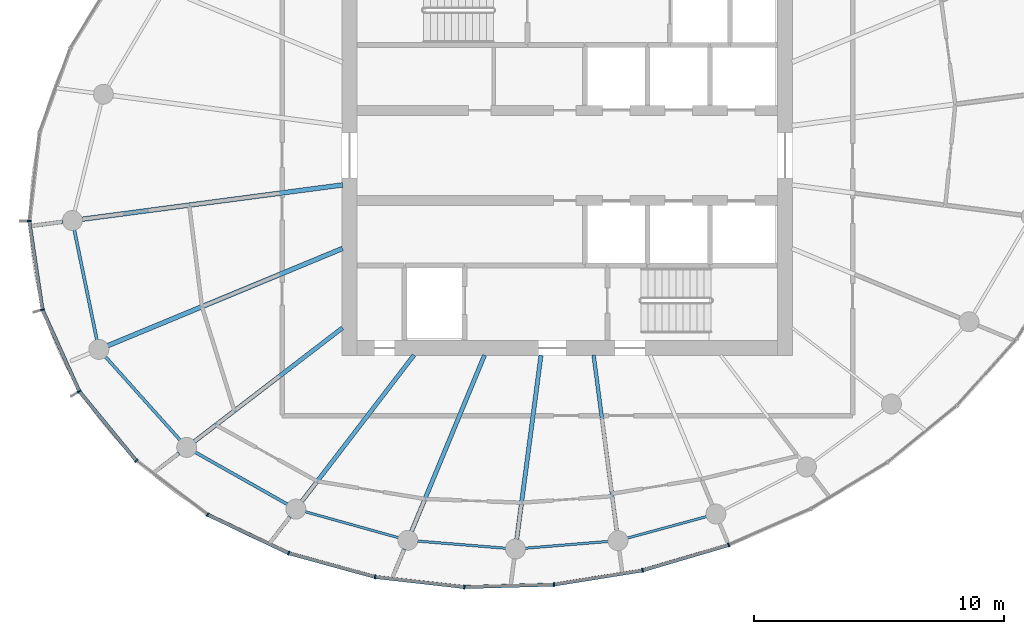
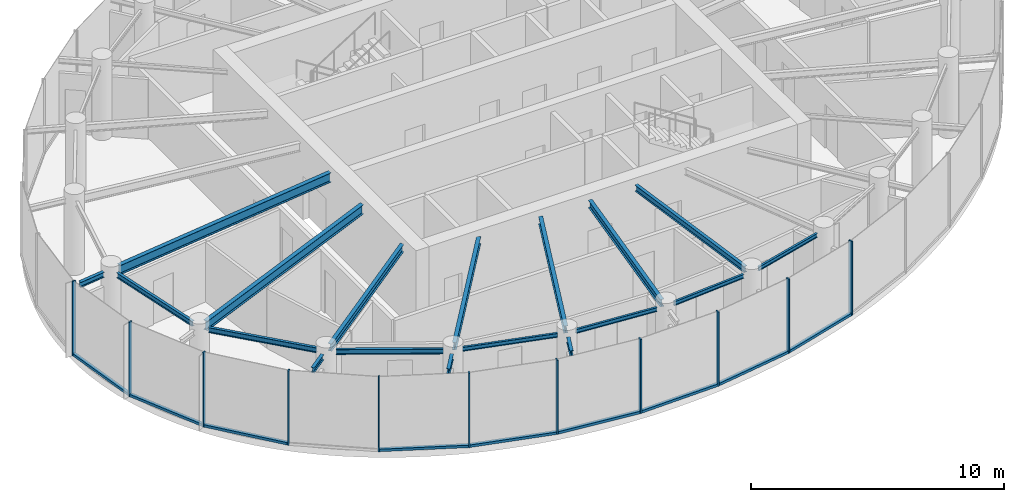
# One storey, part 2 of 13: 20 members, 18 beams, 3 elements without a shape of their own.
"""IFC4 building model written with IfcOpenShell, lengths in metres."""

import ifcopenshell
import ifcopenshell.guid

model = None  # the IFC model being written
_history = None  # IfcOwnerHistory: only IFC2X3 demands one
_inside = {}  # id of a spatial element -> (the spatial element, [elements in it])
_under = {}  # id of a project, library or spatial element -> (it, [spatial elements below it])
_declared = {}  # id of a project -> (the project, [libraries it declares])
_typed = {}  # id of a type object -> (the type object, [elements of that type])
_made_of = {}  # id of a material, layer set ... -> (it, [elements and type objects made of it])


def new_model(schema):
    """Start an empty IFC model of exactly this schema.

    Asked for "IFC4X3", IfcOpenShell would pick the latest addendum, in which some entities
    have other attributes; the version numbers below select the first issue.
    IFC2X3 requires an IfcOwnerHistory on every rooted entity: one is made here for all.
    """
    global model, _history
    if schema == "IFC4X3":
        model = ifcopenshell.file(schema_version=(4, 3, 0, 0))
    else:
        model = ifcopenshell.file(schema=schema)
    _inside.clear()
    _under.clear()
    _declared.clear()
    _typed.clear()
    _made_of.clear()
    _history = None
    if model.schema == "IFC2X3":
        org = make("IfcOrganization", Name="unknown")
        user = make(
            "IfcPersonAndOrganization",
            ThePerson=make("IfcPerson", FamilyName="unknown"),
            TheOrganization=org,
        )
        app = make(
            "IfcApplication",
            ApplicationDeveloper=org,
            Version="unknown",
            ApplicationFullName="unknown",
            ApplicationIdentifier="unknown",
        )
        _history = make(
            "IfcOwnerHistory",
            OwningUser=user,
            OwningApplication=app,
            ChangeAction="ADDED",
            CreationDate=0,
        )
    return model


def make(cls, **values):
    """One entity of the class cls with the attributes given. An attribute that is None is left unset."""
    return model.create_entity(
        cls, **{name: value for name, value in values.items() if value is not None}
    )


def rooted(cls, **values):
    """An entity with a GlobalId (a new one), such as an element, a storey or a relation."""
    return make(cls, GlobalId=ifcopenshell.guid.new(), OwnerHistory=_history, **values)


def si_unit(unit_type, name, prefix=None):
    """IfcSIUnit, for example si_unit("LENGTHUNIT", "METRE", prefix="MILLI")."""
    return make("IfcSIUnit", UnitType=unit_type, Prefix=prefix, Name=name)


def assignment(units):
    """IfcUnitAssignment: the units of a project."""
    return None if units is None else make("IfcUnitAssignment", Units=units)


def point(xyz):
    """IfcCartesianPoint."""
    return None if xyz is None else make("IfcCartesianPoint", Coordinates=xyz)


def direction(xyz):
    """IfcDirection."""
    return None if xyz is None else make("IfcDirection", DirectionRatios=xyz)


def frame(location, z_axis=None, x_axis=None):
    """IfcAxis2Placement3D, a coordinate frame: its origin and axes. An axis left out is left unset."""
    return make(
        "IfcAxis2Placement3D",
        Location=point(location),
        Axis=direction(z_axis),
        RefDirection=direction(x_axis),
    )


def frame_2d(location, x_axis=None):
    """IfcAxis2Placement2D, a coordinate frame in the plane: its origin and x axis."""
    return make(
        "IfcAxis2Placement2D", Location=point(location), RefDirection=direction(x_axis)
    )


def origin():
    """The frame at (0, 0, 0) with its axes left unset."""
    return frame((0.0, 0.0, 0.0))


def origin_2d():
    """The frame at (0, 0) in the plane with its x axis left unset."""
    return frame_2d((0.0, 0.0))


def place(relative_to, where):
    """IfcLocalPlacement: puts the frame where relative to a parent placement (None: the world)."""
    return make(
        "IfcLocalPlacement", PlacementRelTo=relative_to, RelativePlacement=where
    )


def context(
    kind, dimensions, precision=None, world=None, true_north=None, identifier=None
):
    """IfcGeometricRepresentationContext, for example the 3D "Model" context."""
    return make(
        "IfcGeometricRepresentationContext",
        ContextIdentifier=identifier,
        ContextType=kind,
        CoordinateSpaceDimension=dimensions,
        Precision=precision,
        WorldCoordinateSystem=world,
        TrueNorth=true_north,
    )


def subcontext(parent, identifier, kind, view, scale=None):
    """IfcGeometricRepresentationSubContext, for example "Body" below "Model"."""
    return make(
        "IfcGeometricRepresentationSubContext",
        ContextIdentifier=identifier,
        ContextType=kind,
        ParentContext=parent,
        TargetScale=scale,
        TargetView=view,
    )


def project(units=None, contexts=None):
    """IfcProject with its units and contexts."""
    return rooted(
        "IfcProject",
        Name="project",
        RepresentationContexts=contexts,
        UnitsInContext=assignment(units),
    )


def spatial(cls, under=None, at=None, **own):
    """A site, building, storey or space (cls), placed at a placement, below another one or the project."""
    s = rooted(cls, ObjectPlacement=at, **own)
    if under is not None:
        _under.setdefault(under.id(), (under, []))[1].append(s)
    return s


def profile(cls, at=None, kind="AREA", **sizes):
    """A parametric profile (cls). Its sizes go by their IFC names, for example OverallWidth=200.0."""
    return make(cls, ProfileType=kind, Position=at, **sizes)


def rectangle(**sizes):
    """IfcRectangleProfileDef."""
    return profile("IfcRectangleProfileDef", **sizes)


def i_section(**sizes):
    """IfcIShapeProfileDef."""
    return profile("IfcIShapeProfileDef", **sizes)


def extrude(swept, where, along, depth):
    """IfcExtrudedAreaSolid: the profile swept, set in the frame where, extruded along a direction by depth."""
    return make(
        "IfcExtrudedAreaSolid",
        SweptArea=swept,
        Position=where,
        ExtrudedDirection=direction(along),
        Depth=depth,
    )


def shape(context_of_items, identifier, shape_type, items):
    """IfcShapeRepresentation: the items that make up one representation, for example the "Body"."""
    return make(
        "IfcShapeRepresentation",
        ContextOfItems=context_of_items,
        RepresentationIdentifier=identifier,
        RepresentationType=shape_type,
        Items=items,
    )


def source(mapping_origin, context_of_items, identifier, shape_type, items):
    """IfcRepresentationMap: a shape defined once, which mapped items show again and again."""
    return make(
        "IfcRepresentationMap",
        MappingOrigin=mapping_origin,
        MappedRepresentation=shape(context_of_items, identifier, shape_type, items),
    )


def transform(
    local_origin,
    x_axis=None,
    y_axis=None,
    z_axis=None,
    scale=None,
    scale2=None,
    scale3=None,
    uniform=True,
):
    """IfcCartesianTransformationOperator3D, or its non-uniform kind. x_axis, y_axis, z_axis: its Axis1, 2, 3."""
    if uniform:
        return make(
            "IfcCartesianTransformationOperator3D",
            Axis1=direction(x_axis),
            Axis2=direction(y_axis),
            LocalOrigin=point(local_origin),
            Scale=scale,
            Axis3=direction(z_axis),
        )
    return make(
        "IfcCartesianTransformationOperator3DnonUniform",
        Axis1=direction(x_axis),
        Axis2=direction(y_axis),
        LocalOrigin=point(local_origin),
        Scale=scale,
        Axis3=direction(z_axis),
        Scale2=scale2,
        Scale3=scale3,
    )


def mapped(mapping_source, mapping_target):
    """IfcMappedItem: shows the shape of a source again, moved by a transform."""
    return make(
        "IfcMappedItem", MappingSource=mapping_source, MappingTarget=mapping_target
    )


def material(Name=None, Category=None):
    """IfcMaterial."""
    return make("IfcMaterial", Name=Name, Category=Category)


def layer(
    of_material, thickness, ventilated=None, Name=None, Category=None, Priority=None
):
    """IfcMaterialLayer: one layer of a wall or slab, of a material (None: an air gap)."""
    return make(
        "IfcMaterialLayer",
        Material=of_material,
        LayerThickness=thickness,
        IsVentilated=ventilated,
        Name=Name,
        Category=Category,
        Priority=Priority,
    )


def layer_set(layers, Name=None):
    """IfcMaterialLayerSet."""
    return make("IfcMaterialLayerSet", MaterialLayers=layers, LayerSetName=Name)


def material_profile(
    of_material, cross_section, Name=None, Category=None, Priority=None
):
    """IfcMaterialProfile: a cross section and its material."""
    return make(
        "IfcMaterialProfile",
        Name=Name,
        Material=of_material,
        Profile=cross_section,
        Priority=Priority,
        Category=Category,
    )


def profile_set(profiles, Name=None, composite=None):
    """IfcMaterialProfileSet."""
    return make(
        "IfcMaterialProfileSet",
        Name=Name,
        MaterialProfiles=profiles,
        CompositeProfile=composite,
    )


def made_of(thing, what):
    """Note that an element or type object is made of a material, layer set ...; save() writes the relation."""
    if what is not None:
        _made_of.setdefault(what.id(), (what, []))[1].append(thing)
    return thing


def type_object(cls, material=None, **own):
    """A type object (cls), such as IfcWallType, which elements share."""
    return made_of(rooted(cls, **own), material)


def element(
    cls,
    number,
    at=None,
    inside=None,
    cuts=None,
    type_object=None,
    material=None,
    context=None,
    identifier="Body",
    shape_type=None,
    held_by="IfcProductDefinitionShape",
    body=None,
    shapes=None,
    **own,
):
    """One element of the class cls, such as IfcWall. Its Tag is "e" and its number.

    at: its placement. inside: the storey or other place that contains it. cuts: it is an
    opening in that element (IfcRelVoidsElement). A single representation is given by context,
    identifier, shape_type and body (its items); several are given by shapes. held_by: the class
    of the entity that holds the representations. save() writes the other relations.
    """
    e = rooted(cls, Tag="e%d" % number, ObjectPlacement=at, **own)
    if body is not None:
        shapes = [shape(context, identifier, shape_type, body)]
    if shapes is not None:
        e.Representation = make(held_by, Representations=shapes)
    if inside is not None:
        _inside.setdefault(inside.id(), (inside, []))[1].append(e)
    if cuts is not None:
        rooted(
            "IfcRelVoidsElement", RelatingBuildingElement=cuts, RelatedOpeningElement=e
        )
    if type_object is not None:
        _typed.setdefault(type_object.id(), (type_object, []))[1].append(e)
    return made_of(e, material)


def aggregate(whole, parts):
    """IfcRelAggregates: a whole, such as a stair, and the parts it consists of."""
    return rooted("IfcRelAggregates", RelatingObject=whole, RelatedObjects=parts)


def save(model, path):
    """Write the relations noted so far, then the file.

    IfcRelAggregates (storeys below a building ...), IfcRelContainedInSpatialStructure (elements
    in a storey), IfcRelDefinesByType, IfcRelAssociatesMaterial and IfcRelDeclares: one each for
    every whole, place, type object, material and project.
    """
    for whole, parts in _under.values():
        aggregate(whole, parts)
    for where, things in _inside.values():
        rooted(
            "IfcRelContainedInSpatialStructure",
            RelatedElements=things,
            RelatingStructure=where,
        )
    for kind, things in _typed.values():
        rooted("IfcRelDefinesByType", RelatedObjects=things, RelatingType=kind)
    for what, things in _made_of.values():
        rooted("IfcRelAssociatesMaterial", RelatedObjects=things, RelatingMaterial=what)
    for by, libraries in _declared.values():
        rooted("IfcRelDeclares", RelatingContext=by, RelatedDefinitions=libraries)
    model.write(path)


model = new_model("IFC4")

# Units and contexts
model_context = context("Model", 3, precision=1e-05, world=origin(), true_north=direction((0.0, 1.0)))
body_context = subcontext(model_context, "Body", "Model", "MODEL_VIEW")
ifc_project = project(units=[si_unit("LENGTHUNIT", "METRE"), si_unit("AREAUNIT", "SQUARE_METRE"), si_unit("VOLUMEUNIT", "CUBIC_METRE"), si_unit("PLANEANGLEUNIT", "RADIAN"), si_unit("MASSUNIT", "GRAM", prefix="KILO")], contexts=[model_context])

# Site, building, storey
site_placement = place(None, origin())
site = spatial("IfcSite", under=ifc_project, at=site_placement, CompositionType="ELEMENT")
building_placement = place(site_placement, origin())
building = spatial("IfcBuilding", under=site, at=building_placement, Name="Spindrift Exchange Tower", CompositionType="ELEMENT")
storey_placement = place(building_placement, frame((0.0, 0.0, 254.0)))
storey = spatial("IfcBuildingStorey", under=building, at=storey_placement, Name="L62", CompositionType="ELEMENT", Elevation=254.0)

# Beams
ifc_material_1 = material(Name="Steel Grade 300", Category="steel")
ifc_material_profile_1 = material_profile(ifc_material_1, i_section(OverallWidth=0.14599609375, OverallDepth=0.251953125, WebThickness=0.006103515625, FlangeThickness=0.008544921875, FilletRadius=0.011962890625, at=origin_2d()), Name="250UB31.4")
ifc_profile_set_1 = profile_set([ifc_material_profile_1], Name="Steel Grade 300")
beam_type_1 = type_object("IfcBeamType", Name="Cantilever Beam 250UB31.4 Steel Grade 300", PredefinedType="BEAM", material=ifc_profile_set_1)
shared_shape_1 = source(origin(), body_context, "Body", "SweptSolid", [
    extrude(i_section(OverallWidth=0.14599609375, OverallDepth=0.251953125, WebThickness=0.006103515625, FlangeThickness=0.008544921875, FilletRadius=0.011962890625, at=origin_2d()), origin(), (0.0, 0.0, 1.0), 1.183837890625),
])
beam_1_placement = place(storey_placement, frame((31.845947265625, 45.3466796875, 3.4541015625), z_axis=(-0.991444466653, -0.130529190389, 0.0), x_axis=(0.130529190389, -0.991444466653, 0.0)))
element("IfcBeam", 1, at=beam_1_placement, inside=storey, type_object=beam_type_1, Name="L62 cantilever beam R13T", PredefinedType="BEAM", context=body_context, shape_type="MappedRepresentation", body=[
    mapped(shared_shape_1, transform((0.0, 0.0, 0.0), scale=1.0)),
])
ifc_material_profile_2 = material_profile(ifc_material_1, i_section(OverallWidth=0.18994140625, OverallDepth=0.4541015625, WebThickness=0.008544921875, FlangeThickness=0.0126953125, FilletRadius=0.013916015625, at=origin_2d()), Name="460UB67.1")
ifc_profile_set_2 = profile_set([ifc_material_profile_2], Name="Steel Grade 300")
beam_type_2 = type_object("IfcBeamType", Name="Floor Beam 460UB67.1 Steel Grade 300", PredefinedType="BEAM", material=ifc_profile_set_2)
shared_shape_2 = source(origin(), body_context, "Body", "SweptSolid", [
    extrude(i_section(OverallWidth=0.18994140625, OverallDepth=0.4541015625, WebThickness=0.008544921875, FlangeThickness=0.0126953125, FilletRadius=0.013916015625, at=origin_2d()), origin(), (0.0, 0.0, 1.0), 10.510009765625),
])
beam_2_placement = place(storey_placement, frame((43.019775390625, 46.817626953125, 3.35302734375), z_axis=(-0.991445042488, -0.130524816516, 0.0), x_axis=(0.130524816516, -0.991445042488, 0.0)))
element("IfcBeam", 2, at=beam_2_placement, inside=storey, type_object=beam_type_2, Name="L62 radial beam R13A", PredefinedType="BEAM", context=body_context, shape_type="MappedRepresentation", body=[
    mapped(shared_shape_2, transform((0.0, 0.0, 0.0), scale=1.0)),
])
shared_shape_3 = source(origin(), body_context, "Body", "SweptSolid", [
    extrude(i_section(OverallWidth=0.18994140625, OverallDepth=0.4541015625, WebThickness=0.008544921875, FlangeThickness=0.0126953125, FilletRadius=0.013916015625, at=origin_2d()), origin(), (0.0, 0.0, 1.0), 10.160400390625),
])
beam_3_placement = place(storey_placement, frame((43.0185546875, 44.27978515625, 3.35302734375), z_axis=(-0.923880358773, -0.382681437588, 0.0), x_axis=(0.382681437588, -0.923880358773, 0.0)))
element("IfcBeam", 3, at=beam_3_placement, inside=storey, type_object=beam_type_2, Name="L62 radial beam R14A", PredefinedType="BEAM", context=body_context, shape_type="MappedRepresentation", body=[
    mapped(shared_shape_3, transform((0.0, 0.0, 0.0), scale=1.0)),
])
ifc_material_profile_3 = material_profile(ifc_material_1, i_section(OverallWidth=0.1708984375, OverallDepth=0.35205078125, WebThickness=0.0068359375, FlangeThickness=0.009765625, FilletRadius=0.013916015625, at=origin_2d()), Name="360UB44.7")
ifc_profile_set_3 = profile_set([ifc_material_profile_3], Name="Steel Grade 300")
beam_type_3 = type_object("IfcBeamType", Name="Floor Beam 360UB44.7 Steel Grade 300", PredefinedType="BEAM", material=ifc_profile_set_3)
shared_shape_4 = source(origin(), body_context, "Body", "SweptSolid", [
    extrude(i_section(OverallWidth=0.1708984375, OverallDepth=0.35205078125, WebThickness=0.0068359375, FlangeThickness=0.009765625, FilletRadius=0.013916015625, at=origin_2d()), origin(), (0.0, 0.0, 1.0), 7.466796875),
])
beam_4_placement = place(storey_placement, frame((43.015869140625, 41.106201171875, 3.404052734375), z_axis=(-0.793360004804, -0.608752743548, 0.0), x_axis=(0.608752743548, -0.793360004804, 0.0)))
element("IfcBeam", 4, at=beam_4_placement, inside=storey, type_object=beam_type_3, Name="L62 radial beam R15A", PredefinedType="BEAM", context=body_context, shape_type="MappedRepresentation", body=[
    mapped(shared_shape_4, transform((0.0, 0.0, 0.0), scale=1.0)),
])
shared_shape_5 = source(origin(), body_context, "Body", "SweptSolid", [
    extrude(i_section(OverallWidth=0.1708984375, OverallDepth=0.35205078125, WebThickness=0.0068359375, FlangeThickness=0.009765625, FilletRadius=0.013916015625, at=origin_2d()), origin(), (0.0, 0.0, 1.0), 7.3740234375),
])
beam_5_placement = place(storey_placement, frame((45.87353515625, 40.015869140625, 3.404052734375), z_axis=(-0.608751913917, -0.793360641387, 0.0), x_axis=(0.793360641387, -0.608751913917, 0.0)))
element("IfcBeam", 5, at=beam_5_placement, inside=storey, type_object=beam_type_3, Name="L62 radial beam R16A", PredefinedType="BEAM", context=body_context, shape_type="MappedRepresentation", body=[
    mapped(shared_shape_5, transform((0.0, 0.0, 0.0), scale=1.0)),
])
shared_shape_6 = source(origin(), body_context, "Body", "SweptSolid", [
    extrude(i_section(OverallWidth=0.1708984375, OverallDepth=0.35205078125, WebThickness=0.0068359375, FlangeThickness=0.009765625, FilletRadius=0.013916015625, at=origin_2d()), origin(), (0.0, 0.0, 1.0), 7.630859375),
])
beam_6_placement = place(storey_placement, frame((48.69384765625, 40.0185546875, 3.404052734375), z_axis=(-0.382676740702, -0.92388230426, 0.0), x_axis=(0.92388230426, -0.382676740702, 0.0)))
element("IfcBeam", 6, at=beam_6_placement, inside=storey, type_object=beam_type_3, Name="L62 radial beam R17A", PredefinedType="BEAM", context=body_context, shape_type="MappedRepresentation", body=[
    mapped(shared_shape_6, transform((0.0, 0.0, 0.0), scale=1.0)),
])
shared_shape_7 = source(origin(), body_context, "Body", "SweptSolid", [
    extrude(i_section(OverallWidth=0.1708984375, OverallDepth=0.35205078125, WebThickness=0.0068359375, FlangeThickness=0.009765625, FilletRadius=0.013916015625, at=origin_2d()), origin(), (0.0, 0.0, 1.0), 7.43798828125),
])
beam_7_placement = place(storey_placement, frame((50.949462890625, 40.019775390625, 3.404052734375), z_axis=(-0.130540269579, -0.991443007953, 0.0), x_axis=(0.991443007953, -0.130540269579, 0.0)))
element("IfcBeam", 7, at=beam_7_placement, inside=storey, type_object=beam_type_3, Name="L62 radial beam R18A", PredefinedType="BEAM", context=body_context, shape_type="MappedRepresentation", body=[
    mapped(shared_shape_7, transform((0.0, 0.0, 0.0), scale=1.0)),
])
ifc_material_profile_4 = material_profile(ifc_material_1, i_section(OverallWidth=0.14892578125, OverallDepth=0.298095703125, WebThickness=0.005615234375, FlangeThickness=0.008056640625, FilletRadius=0.012939453125, at=origin_2d()), Name="310UB32.0")
ifc_profile_set_4 = profile_set([ifc_material_profile_4], Name="Steel Grade 300")
beam_type_4 = type_object("IfcBeamType", Name="Floor Beam 310UB32.0 Steel Grade 300", PredefinedType="BEAM", material=ifc_profile_set_4)
shared_shape_8 = source(origin(), body_context, "Body", "SweptSolid", [
    extrude(i_section(OverallWidth=0.14892578125, OverallDepth=0.298095703125, WebThickness=0.005615234375, FlangeThickness=0.008056640625, FilletRadius=0.012939453125, at=origin_2d()), origin(), (0.0, 0.0, 1.0), 7.099853515625),
])
beam_8_placement = place(storey_placement, frame((53.050537109375, 40.019775390625, 3.430908203125), z_axis=(0.130532789835, -0.991443992759, 0.0), x_axis=(0.991443992759, 0.130532789835, 0.0)))
element("IfcBeam", 8, at=beam_8_placement, inside=storey, type_object=beam_type_4, Name="L62 radial beam R19A", PredefinedType="BEAM", context=body_context, shape_type="MappedRepresentation", body=[
    mapped(shared_shape_8, transform((0.0, 0.0, 0.0), scale=1.0)),
])
ifc_material_profile_5 = material_profile(ifc_material_1, i_section(OverallWidth=0.1240234375, OverallDepth=0.248046875, WebThickness=0.0048828125, FlangeThickness=0.008056640625, FilletRadius=0.011962890625, at=origin_2d()), Name="250UB25.7")
ifc_profile_set_5 = profile_set([ifc_material_profile_5], Name="Steel Grade 300")
beam_type_5 = type_object("IfcBeamType", Name="Edge Beam 250UB25.7 Steel Grade 300", PredefinedType="SPANDREL", material=ifc_profile_set_5)
shared_shape_9 = source(origin(), body_context, "Body", "SweptSolid", [
    extrude(i_section(OverallWidth=0.1240234375, OverallDepth=0.248046875, WebThickness=0.0048828125, FlangeThickness=0.008056640625, FilletRadius=0.011962890625, at=origin_2d()), origin(), (0.0, 0.0, 1.0), 4.497802734375),
])
beam_9_placement = place(storey_placement, frame((32.299072265625, 45.024169921875, 3.4560546875), z_axis=(0.201217935785, -0.979546498293, 0.0), x_axis=(0.979546498293, 0.201217935785, 0.0)))
element("IfcBeam", 9, at=beam_9_placement, inside=storey, type_object=beam_type_5, Name="L62 edge beam E13", PredefinedType="SPANDREL", context=body_context, shape_type="MappedRepresentation", body=[
    mapped(shared_shape_9, transform((0.0, 0.0, 0.0), scale=1.0)),
])
shared_shape_10 = source(origin(), body_context, "Body", "SweptSolid", [
    extrude(i_section(OverallWidth=0.1240234375, OverallDepth=0.248046875, WebThickness=0.0048828125, FlangeThickness=0.008056640625, FilletRadius=0.011962890625, at=origin_2d()), origin(), (0.0, 0.0, 1.0), 4.499755859375),
])
beam_10_placement = place(storey_placement, frame((33.533935546875, 39.963134765625, 3.4560546875), z_axis=(0.667419502646, -0.744681950558, 0.0), x_axis=(0.744681950558, 0.667419502646, 0.0)))
element("IfcBeam", 10, at=beam_10_placement, inside=storey, type_object=beam_type_5, Name="L62 edge beam E14", PredefinedType="SPANDREL", context=body_context, shape_type="MappedRepresentation", body=[
    mapped(shared_shape_10, transform((0.0, 0.0, 0.0), scale=1.0)),
])
shared_shape_11 = source(origin(), body_context, "Body", "SweptSolid", [
    extrude(i_section(OverallWidth=0.1240234375, OverallDepth=0.248046875, WebThickness=0.0048828125, FlangeThickness=0.008056640625, FilletRadius=0.011962890625, at=origin_2d()), origin(), (0.0, 0.0, 1.0), 4.2509765625),
])
beam_11_placement = place(storey_placement, frame((37.121337890625, 36.142333984375, 3.4560546875), z_axis=(0.870615246867, -0.491964523033, 0.0), x_axis=(0.491964523033, 0.870615246867, 0.0)))
element("IfcBeam", 11, at=beam_11_placement, inside=storey, type_object=beam_type_5, Name="L62 edge beam E15", PredefinedType="SPANDREL", context=body_context, shape_type="MappedRepresentation", body=[
    mapped(shared_shape_11, transform((0.0, 0.0, 0.0), scale=1.0)),
])
ifc_material_profile_6 = material_profile(ifc_material_1, i_section(OverallWidth=0.09912109375, OverallDepth=0.197998046875, WebThickness=0.00439453125, FlangeThickness=0.007080078125, FilletRadius=0.010986328125, at=origin_2d()), Name="200UB18.2")
ifc_profile_set_6 = profile_set([ifc_material_profile_6], Name="Steel Grade 300")
beam_type_6 = type_object("IfcBeamType", Name="Edge Beam 200UB18.2 Steel Grade 300", PredefinedType="SPANDREL", material=ifc_profile_set_6)
shared_shape_12 = source(origin(), body_context, "Body", "SweptSolid", [
    extrude(i_section(OverallWidth=0.09912109375, OverallDepth=0.197998046875, WebThickness=0.00439453125, FlangeThickness=0.007080078125, FilletRadius=0.010986328125, at=origin_2d()), origin(), (0.0, 0.0, 1.0), 3.885498046875),
])
beam_12_placement = place(storey_placement, frame((41.519287109375, 33.761962890625, 3.48095703125), z_axis=(0.963333134661, -0.268308165482, 0.0), x_axis=(0.268308165482, 0.963333134661, 0.0)))
element("IfcBeam", 12, at=beam_12_placement, inside=storey, type_object=beam_type_6, Name="L62 edge beam E16", PredefinedType="SPANDREL", context=body_context, shape_type="MappedRepresentation", body=[
    mapped(shared_shape_12, transform((0.0, 0.0, 0.0), scale=1.0)),
])
shared_shape_13 = source(origin(), body_context, "Body", "SweptSolid", [
    extrude(i_section(OverallWidth=0.09912109375, OverallDepth=0.197998046875, WebThickness=0.00439453125, FlangeThickness=0.007080078125, FilletRadius=0.010986328125, at=origin_2d()), origin(), (0.0, 0.0, 1.0), 3.5546875),
])
beam_13_placement = place(storey_placement, frame((46.007080078125, 32.586669921875, 3.48095703125), z_axis=(0.996727103969, -0.080839842983, 0.0), x_axis=(0.080839842983, 0.996727103969, 0.0)))
element("IfcBeam", 13, at=beam_13_placement, inside=storey, type_object=beam_type_6, Name="L62 edge beam E17", PredefinedType="SPANDREL", context=body_context, shape_type="MappedRepresentation", body=[
    mapped(shared_shape_13, transform((0.0, 0.0, 0.0), scale=1.0)),
])
shared_shape_14 = source(origin(), body_context, "Body", "SweptSolid", [
    extrude(i_section(OverallWidth=0.09912109375, OverallDepth=0.197998046875, WebThickness=0.00439453125, FlangeThickness=0.007080078125, FilletRadius=0.010986328125, at=origin_2d()), origin(), (0.0, 0.0, 1.0), 3.351806640625),
])
beam_14_placement = place(storey_placement, frame((50.3076171875, 32.2998046875, 3.48095703125), z_axis=(0.996672670999, 0.081508201334, 0.0), x_axis=(-0.081508201334, 0.996672670999, 0.0)))
element("IfcBeam", 14, at=beam_14_placement, inside=storey, type_object=beam_type_6, Name="L62 edge beam E18", PredefinedType="SPANDREL", context=body_context, shape_type="MappedRepresentation", body=[
    mapped(shared_shape_14, transform((0.0, 0.0, 0.0), scale=1.0)),
])
shared_shape_15 = source(origin(), body_context, "Body", "SweptSolid", [
    extrude(i_section(OverallWidth=0.09912109375, OverallDepth=0.197998046875, WebThickness=0.00439453125, FlangeThickness=0.007080078125, FilletRadius=0.010986328125, at=origin_2d()), origin(), (0.0, 0.0, 1.0), 3.2919921875),
])
beam_15_placement = place(storey_placement, frame((54.3935546875, 32.70361328125, 3.48095703125), z_axis=(0.965045644564, 0.262081864896, 0.0), x_axis=(-0.262081864896, 0.965045644564, 0.0)))
element("IfcBeam", 15, at=beam_15_placement, inside=storey, type_object=beam_type_6, Name="L62 edge beam E19", PredefinedType="SPANDREL", context=body_context, shape_type="MappedRepresentation", body=[
    mapped(shared_shape_15, transform((0.0, 0.0, 0.0), scale=1.0)),
])
shared_shape_16 = source(origin(), body_context, "Body", "SweptSolid", [
    extrude(i_section(OverallWidth=0.14599609375, OverallDepth=0.251953125, WebThickness=0.006103515625, FlangeThickness=0.008544921875, FilletRadius=0.011962890625, at=origin_2d()), origin(), (0.0, 0.0, 1.0), 1.0263671875),
])
beam_16_placement = place(storey_placement, frame((36.489013671875, 36.09814453125, 3.4541015625), z_axis=(-0.793357419476, -0.608756112875, 0.0), x_axis=(0.608756112875, -0.793357419476, 0.0)))
element("IfcBeam", 16, at=beam_16_placement, inside=storey, type_object=beam_type_1, Name="L62 cantilever beam R15T", PredefinedType="BEAM", context=body_context, shape_type="MappedRepresentation", body=[
    mapped(shared_shape_16, transform((0.0, 0.0, 0.0), scale=1.0)),
])
shared_shape_17 = source(origin(), body_context, "Body", "SweptSolid", [
    extrude(i_section(OverallWidth=0.14599609375, OverallDepth=0.251953125, WebThickness=0.006103515625, FlangeThickness=0.008544921875, FilletRadius=0.011962890625, at=origin_2d()), origin(), (0.0, 0.0, 1.0), 1.0517578125),
])
beam_17_placement = place(storey_placement, frame((40.921630859375, 33.5625, 3.4541015625), z_axis=(-0.608655693702, -0.793434462652, 0.0), x_axis=(0.793434462652, -0.608655693702, 0.0)))
element("IfcBeam", 17, at=beam_17_placement, inside=storey, type_object=beam_type_1, Name="L62 cantilever beam R16T", PredefinedType="BEAM", context=body_context, shape_type="MappedRepresentation", body=[
    mapped(shared_shape_17, transform((0.0, 0.0, 0.0), scale=1.0)),
])
shared_shape_18 = source(origin(), body_context, "Body", "SweptSolid", [
    extrude(i_section(OverallWidth=0.14599609375, OverallDepth=0.251953125, WebThickness=0.006103515625, FlangeThickness=0.008544921875, FilletRadius=0.011962890625, at=origin_2d()), origin(), (0.0, 0.0, 1.0), 0.969970703125),
])
beam_18_placement = place(storey_placement, frame((45.48291015625, 32.266357421875, 3.4541015625), z_axis=(-0.382559262463, -0.923930955593, 0.0), x_axis=(0.923930955593, -0.382559262463, 0.0)))
element("IfcBeam", 18, at=beam_18_placement, inside=storey, type_object=beam_type_1, Name="L62 cantilever beam R17T", PredefinedType="BEAM", context=body_context, shape_type="MappedRepresentation", body=[
    mapped(shared_shape_18, transform((0.0, 0.0, 0.0), scale=1.0)),
])

# Curtain wall, members
ifc_material_2 = material(Name="Fritted laminated glass with bronze frame", Category="glass")
ifc_layer = layer(ifc_material_2, 0.159912109375)
ifc_layer_set = layer_set([ifc_layer], Name="ZONE 5 BRONZE FRITTED WALL")
curtain_wall_type = type_object("IfcCurtainWallType", Name="ZONE 5 BRONZE FRITTED WALL", PredefinedType="NOTDEFINED", material=ifc_layer_set)
curtain_wall_1_placement = place(storey_placement, origin())
curtain_wall_1 = element("IfcCurtainWall", 19, at=curtain_wall_1_placement, inside=storey, type_object=curtain_wall_type, Name="L62 Zone 5 Bronze Fritted Wall run 3", PredefinedType="NOTDEFINED")
ifc_material_3 = material(Name="Bronze anodised aluminium", Category="aluminium")
ifc_material_profile_7 = material_profile(ifc_material_3, rectangle(XDim=0.06005859375, YDim=0.159912109375, at=origin_2d()), Name="ZONE 5 BRONZE FRITTED WALL MULLION 60X160")
ifc_profile_set_7 = profile_set([ifc_material_profile_7], Name="Bronze anodised aluminium")
member_type_1 = type_object("IfcMemberType", Name="ZONE 5 BRONZE FRITTED WALL MULLION 60X160", PredefinedType="MULLION", material=ifc_profile_set_7)
shared_shape_19 = source(origin(), body_context, "Body", "SweptSolid", [
    extrude(rectangle(XDim=0.06005859375, YDim=0.159912109375, at=origin_2d()), origin(), (0.0, 0.0, 1.0), 3.580078125),
])
member_1_placement = place(storey_placement, frame((30.5, 45.368408203125, 0.0), z_axis=(0.0, 0.0, 1.0), x_axis=(0.016608702222, -0.999862065992, 0.0)))
member_1 = element("IfcMember", 20, at=member_1_placement, type_object=member_type_1, Name="L62 mullion CW-5.17", PredefinedType="MULLION", context=body_context, shape_type="MappedRepresentation", body=[
    mapped(shared_shape_19, transform((0.0, 0.0, 0.0), scale=1.0)),
])
member_2_placement = place(storey_placement, frame((31.029296875, 41.830078125, 0.0), z_axis=(0.0, 0.0, 1.0), x_axis=(0.282237540268, -0.959344552736, 0.0)))
member_2 = element("IfcMember", 21, at=member_2_placement, type_object=member_type_1, Name="L62 mullion CW-5.18", PredefinedType="MULLION", context=body_context, shape_type="MappedRepresentation", body=[
    mapped(shared_shape_19, transform((0.0, 0.0, 0.0), scale=1.0)),
])

curtain_wall_2_placement = place(storey_placement, origin())
curtain_wall_2 = element("IfcCurtainWall", 22, at=curtain_wall_2_placement, inside=storey, type_object=curtain_wall_type, Name="L62 Zone 5 Bronze Fritted Wall run 4", PredefinedType="NOTDEFINED")
member_3_placement = place(storey_placement, frame((32.50048828125, 38.569091796875, 0.0), z_axis=(0.0, 0.0, 1.0), x_axis=(0.527510952082, -0.849548230199, 0.0)))
member_3 = element("IfcMember", 23, at=member_3_placement, type_object=member_type_1, Name="L62 mullion CW-5.19", PredefinedType="MULLION", context=body_context, shape_type="MappedRepresentation", body=[
    mapped(shared_shape_19, transform((0.0, 0.0, 0.0), scale=1.0)),
])
member_4_placement = place(storey_placement, frame((34.77197265625, 35.802978515625, 0.0), z_axis=(0.0, 0.0, 1.0), x_axis=(0.721093728116, -0.692837524439, 0.0)))
member_4 = element("IfcMember", 24, at=member_4_placement, type_object=member_type_1, Name="L62 mullion CW-5.20", PredefinedType="MULLION", context=body_context, shape_type="MappedRepresentation", body=[
    mapped(shared_shape_19, transform((0.0, 0.0, 0.0), scale=1.0)),
])
member_5_placement = place(storey_placement, frame((37.62841796875, 33.642578125, 0.0), z_axis=(0.0, 0.0, 1.0), x_axis=(0.854743718233, -0.519050263598, 0.0)))
member_5 = element("IfcMember", 25, at=member_5_placement, type_object=member_type_1, Name="L62 mullion CW-5.21", PredefinedType="MULLION", context=body_context, shape_type="MappedRepresentation", body=[
    mapped(shared_shape_19, transform((0.0, 0.0, 0.0), scale=1.0)),
])
member_6_placement = place(storey_placement, frame((40.864501953125, 32.103515625, 0.0), z_axis=(0.0, 0.0, 1.0), x_axis=(0.937329695173, -0.348443743733, 0.0)))
member_6 = element("IfcMember", 26, at=member_6_placement, type_object=member_type_1, Name="L62 mullion CW-5.22", PredefinedType="MULLION", context=body_context, shape_type="MappedRepresentation", body=[
    mapped(shared_shape_19, transform((0.0, 0.0, 0.0), scale=1.0)),
])
member_7_placement = place(storey_placement, frame((44.3212890625, 31.154541015625, 0.0), z_axis=(0.0, 0.0, 1.0), x_axis=(0.98192170631, -0.189287513264, 0.0)))
member_7 = element("IfcMember", 27, at=member_7_placement, type_object=member_type_1, Name="L62 mullion CW-5.23", PredefinedType="MULLION", context=body_context, shape_type="MappedRepresentation", body=[
    mapped(shared_shape_19, transform((0.0, 0.0, 0.0), scale=1.0)),
])
member_8_placement = place(storey_placement, frame((47.884033203125, 30.75048828125, 0.0), z_axis=(0.0, 0.0, 1.0), x_axis=(0.999088156549, -0.042694911209, 0.0)))
member_8 = element("IfcMember", 28, at=member_8_placement, type_object=member_type_1, Name="L62 mullion CW-5.24", PredefinedType="MULLION", context=body_context, shape_type="MappedRepresentation", body=[
    mapped(shared_shape_19, transform((0.0, 0.0, 0.0), scale=1.0)),
])

curtain_wall_3_placement = place(storey_placement, origin())
curtain_wall_3 = element("IfcCurtainWall", 29, at=curtain_wall_3_placement, inside=storey, type_object=curtain_wall_type, Name="L62 Zone 5 Bronze Fritted Wall run 5", PredefinedType="NOTDEFINED")
member_9_placement = place(storey_placement, frame((51.46875, 30.84912109375, 0.0), z_axis=(0.0, 0.0, 1.0), x_axis=(0.99565556002, 0.093112865929, 0.0)))
member_9 = element("IfcMember", 30, at=member_9_placement, type_object=member_type_1, Name="L62 mullion CW-5.25", PredefinedType="MULLION", context=body_context, shape_type="MappedRepresentation", body=[
    mapped(shared_shape_19, transform((0.0, 0.0, 0.0), scale=1.0)),
])
member_10_placement = place(storey_placement, frame((55.009765625, 31.4169921875, 0.0), z_axis=(0.0, 0.0, 1.0), x_axis=(0.975338045302, 0.220716327867, 0.0)))
member_10 = element("IfcMember", 31, at=member_10_placement, type_object=member_type_1, Name="L62 mullion CW-5.26", PredefinedType="MULLION", context=body_context, shape_type="MappedRepresentation", body=[
    mapped(shared_shape_19, transform((0.0, 0.0, 0.0), scale=1.0)),
])
member_11_placement = place(storey_placement, frame((58.4501953125, 32.42919921875, 0.0), z_axis=(0.0, 0.0, 1.0), x_axis=(0.939469047933, 0.342633781137, 0.0)))
member_11 = element("IfcMember", 32, at=member_11_placement, type_object=member_type_1, Name="L62 mullion CW-5.27", PredefinedType="MULLION", context=body_context, shape_type="MappedRepresentation", body=[
    mapped(shared_shape_19, transform((0.0, 0.0, 0.0), scale=1.0)),
])

# Member
ifc_material_profile_8 = material_profile(ifc_material_3, rectangle(XDim=0.139892578125, YDim=0.1201171875, at=origin_2d()), Name="ZONE 5 BRONZE FRITTED WALL TRANSOM 140X120")
ifc_profile_set_8 = profile_set([ifc_material_profile_8], Name="Bronze anodised aluminium")
member_type_2 = type_object("IfcMemberType", Name="ZONE 5 BRONZE FRITTED WALL TRANSOM 140X120", PredefinedType="USERDEFINED", material=ifc_profile_set_8)
shared_shape_20 = source(origin(), body_context, "Body", "SweptSolid", [
    extrude(rectangle(XDim=0.139892578125, YDim=0.1201171875, at=origin_2d()), origin(), (0.0, 0.0, 1.0), 3.52587890625),
])
member_12_placement = place(storey_placement, frame((47.9140625, 30.751220703125, 0.06005859375), z_axis=(0.999620217652, 0.027557584445, 0.0), x_axis=(-0.027557584445, 0.999620217652, 0.0)))
member_12 = element("IfcMember", 33, at=member_12_placement, type_object=member_type_2, Name="L62 transom CW-5.24", ObjectType="TRANSOM", PredefinedType="USERDEFINED", context=body_context, shape_type="MappedRepresentation", body=[
    mapped(shared_shape_20, transform((0.0, 0.0, 0.0), scale=1.0)),
])

shared_shape_21 = source(origin(), body_context, "Body", "SweptSolid", [
    extrude(rectangle(XDim=0.139892578125, YDim=0.1201171875, at=origin_2d()), origin(), (0.0, 0.0, 1.0), 3.519287109375),
])
member_13_placement = place(storey_placement, frame((32.51953125, 38.5458984375, 0.06005859375), z_axis=(0.634626982223, -0.772818603188, 0.0), x_axis=(0.772818603188, 0.634626982223, 0.0)))
member_13 = element("IfcMember", 34, at=member_13_placement, type_object=member_type_2, Name="L62 transom CW-5.19", ObjectType="TRANSOM", PredefinedType="USERDEFINED", context=body_context, shape_type="MappedRepresentation", body=[
    mapped(shared_shape_21, transform((0.0, 0.0, 0.0), scale=1.0)),
])

shared_shape_22 = source(origin(), body_context, "Body", "SweptSolid", [
    extrude(rectangle(XDim=0.139892578125, YDim=0.1201171875, at=origin_2d()), origin(), (0.0, 0.0, 1.0), 3.517333984375),
])
member_14_placement = place(storey_placement, frame((30.504638671875, 45.338623046875, 0.06005859375), z_axis=(0.147909393736, -0.989000915695, 0.0), x_axis=(0.989000915695, 0.147909393736, 0.0)))
member_14 = element("IfcMember", 35, at=member_14_placement, type_object=member_type_2, Name="L62 transom CW-5.17", ObjectType="TRANSOM", PredefinedType="USERDEFINED", context=body_context, shape_type="MappedRepresentation", body=[
    mapped(shared_shape_22, transform((0.0, 0.0, 0.0), scale=1.0)),
])

member_15_placement = place(storey_placement, frame((31.041748046875, 41.802734375, 0.06005859375), z_axis=(0.411181263639, -0.911553601514, 0.0), x_axis=(0.911553601514, 0.411181263639, 0.0)))
member_15 = element("IfcMember", 36, at=member_15_placement, type_object=member_type_2, Name="L62 transom CW-5.18", ObjectType="TRANSOM", PredefinedType="USERDEFINED", context=body_context, shape_type="MappedRepresentation", body=[
    mapped(shared_shape_22, transform((0.0, 0.0, 0.0), scale=1.0)),
])

aggregate(curtain_wall_1, [member_1, member_14, member_2, member_15])

shared_shape_23 = source(origin(), body_context, "Body", "SweptSolid", [
    extrude(rectangle(XDim=0.139892578125, YDim=0.1201171875, at=origin_2d()), origin(), (0.0, 0.0, 1.0), 3.526123046875),
])
member_16_placement = place(storey_placement, frame((51.498291015625, 30.85400390625, 0.06005859375), z_axis=(0.987394792201, 0.158276733397, 0.0), x_axis=(-0.158276733397, 0.987394792201, 0.0)))
member_16 = element("IfcMember", 37, at=member_16_placement, type_object=member_type_2, Name="L62 transom CW-5.25", ObjectType="TRANSOM", PredefinedType="USERDEFINED", context=body_context, shape_type="MappedRepresentation", body=[
    mapped(shared_shape_23, transform((0.0, 0.0, 0.0), scale=1.0)),
])

member_17_placement = place(storey_placement, frame((55.03857421875, 31.42529296875, 0.06005859375), z_axis=(0.959333523391, 0.282275027054, 0.0), x_axis=(-0.282275027054, 0.959333523391, 0.0)))
member_17 = element("IfcMember", 38, at=member_17_placement, type_object=member_type_2, Name="L62 transom CW-5.26", ObjectType="TRANSOM", PredefinedType="USERDEFINED", context=body_context, shape_type="MappedRepresentation", body=[
    mapped(shared_shape_23, transform((0.0, 0.0, 0.0), scale=1.0)),
])

aggregate(curtain_wall_3, [member_9, member_16, member_10, member_17, member_11])

shared_shape_24 = source(origin(), body_context, "Body", "SweptSolid", [
    extrude(rectangle(XDim=0.139892578125, YDim=0.1201171875, at=origin_2d()), origin(), (0.0, 0.0, 1.0), 3.5234375),
])
member_18_placement = place(storey_placement, frame((37.655517578125, 33.629638671875, 0.06005859375), z_axis=(0.903080699714, -0.429470895176, 0.0), x_axis=(0.429470895176, 0.903080699714, 0.0)))
member_18 = element("IfcMember", 39, at=member_18_placement, type_object=member_type_2, Name="L62 transom CW-5.21", ObjectType="TRANSOM", PredefinedType="USERDEFINED", context=body_context, shape_type="MappedRepresentation", body=[
    mapped(shared_shape_24, transform((0.0, 0.0, 0.0), scale=1.0)),
])

shared_shape_25 = source(origin(), body_context, "Body", "SweptSolid", [
    extrude(rectangle(XDim=0.139892578125, YDim=0.1201171875, at=origin_2d()), origin(), (0.0, 0.0, 1.0), 3.525634765625),
])
member_19_placement = place(storey_placement, frame((44.35107421875, 31.151123046875, 0.06005859375), z_axis=(0.993632945049, -0.112665746853, 0.0), x_axis=(0.112665746853, 0.993632945049, 0.0)))
member_19 = element("IfcMember", 40, at=member_19_placement, type_object=member_type_2, Name="L62 transom CW-5.23", ObjectType="TRANSOM", PredefinedType="USERDEFINED", context=body_context, shape_type="MappedRepresentation", body=[
    mapped(shared_shape_25, transform((0.0, 0.0, 0.0), scale=1.0)),
])

shared_shape_26 = source(origin(), body_context, "Body", "SweptSolid", [
    extrude(rectangle(XDim=0.139892578125, YDim=0.1201171875, at=origin_2d()), origin(), (0.0, 0.0, 1.0), 3.52490234375),
])
member_20_placement = place(storey_placement, frame((40.893310546875, 32.095703125, 0.06005859375), z_axis=(0.964326147917, -0.264716981781, 0.0), x_axis=(0.264716981781, 0.964326147917, 0.0)))
member_20 = element("IfcMember", 41, at=member_20_placement, type_object=member_type_2, Name="L62 transom CW-5.22", ObjectType="TRANSOM", PredefinedType="USERDEFINED", context=body_context, shape_type="MappedRepresentation", body=[
    mapped(shared_shape_26, transform((0.0, 0.0, 0.0), scale=1.0)),
])

aggregate(curtain_wall_2, [member_3, member_13, member_4, member_5, member_18, member_6, member_20, member_7, member_19, member_8, member_12])

save(model, "model.ifc")
